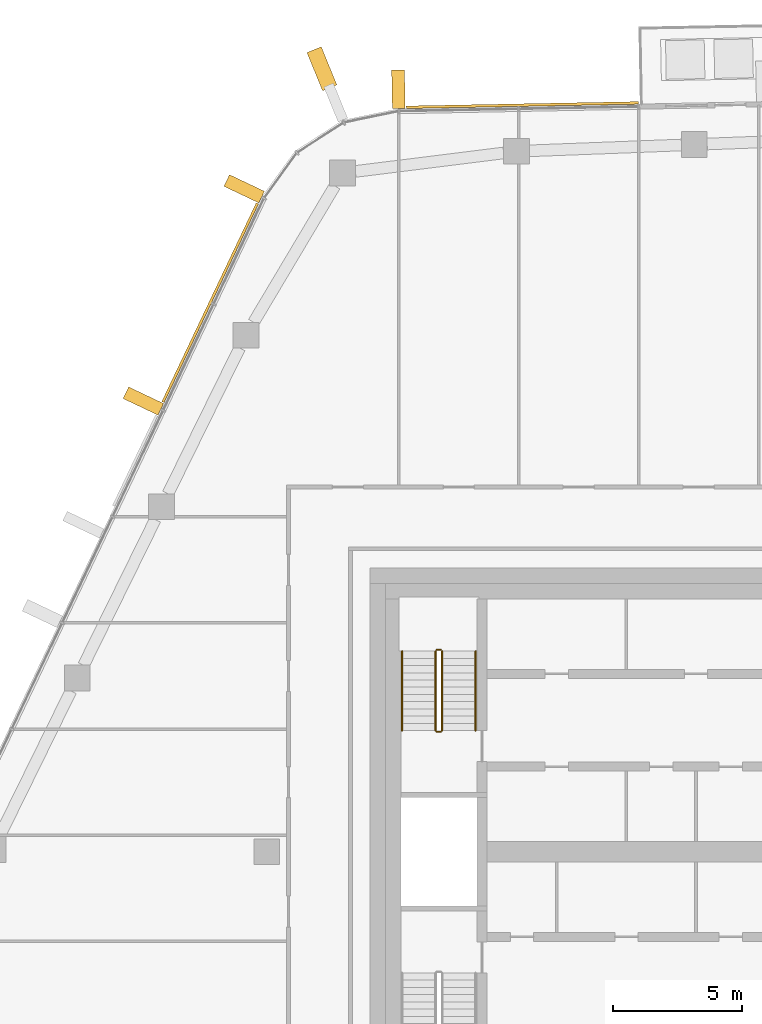
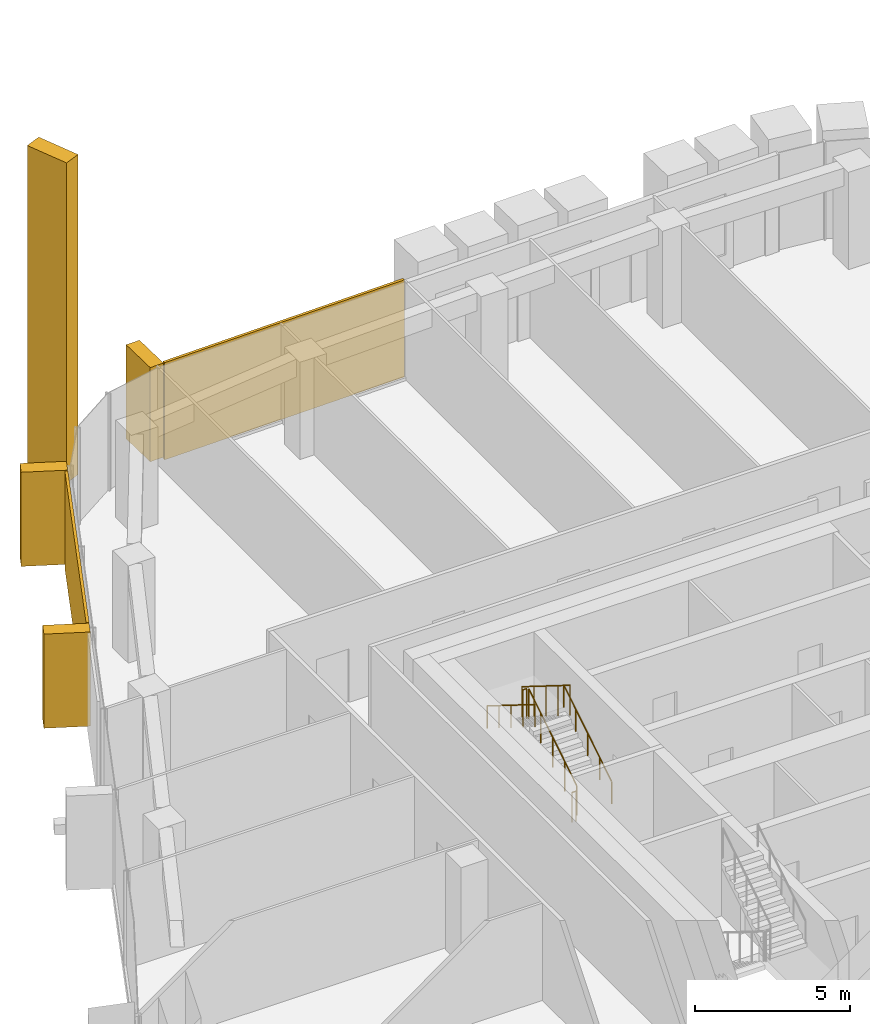
# One storey, part 22 of 24: 6 coverings, 6 railings, 3 elements without a shape of their own.
"""IFC4 building model written with IfcOpenShell, lengths in metres."""

from ifc_helpers import new_model, si_unit, direction, frame, origin, origin_2d, place, context, subcontext, project, spatial, rectangle, circle, extrude, material, layer, layer_set, material_profile, profile_set, type_object, element, aggregate, save


model = new_model("IFC4")

# Units and contexts
model_context = context("Model", 3, precision=1e-05, world=origin(), true_north=direction((0.0, 1.0)))
body_context = subcontext(model_context, "Body", "Model", "MODEL_VIEW")
ifc_project = project(units=[si_unit("LENGTHUNIT", "METRE"), si_unit("AREAUNIT", "SQUARE_METRE"), si_unit("VOLUMEUNIT", "CUBIC_METRE"), si_unit("PLANEANGLEUNIT", "RADIAN"), si_unit("MASSUNIT", "GRAM", prefix="KILO")], contexts=[model_context])

# Site, building, storey
site_placement = place(None, origin())
site = spatial("IfcSite", under=ifc_project, at=site_placement, CompositionType="ELEMENT")
building_placement = place(site_placement, origin())
building = spatial("IfcBuilding", under=site, at=building_placement, Name="Dongbaek Canopy Tower", CompositionType="ELEMENT")
storey_placement = place(building_placement, frame((0.0, 0.0, 294.199951171875)))
storey = spatial("IfcBuildingStorey", under=building, at=storey_placement, Name="L62", CompositionType="ELEMENT", Elevation=294.199951171875)

# Curtain wall, covering
ifc_material_1 = material(Name="Aluminium 6063-T6 pale anodised", Category="aluminium")
ifc_layer_1 = layer(ifc_material_1, 0.199951171875)
ifc_layer_set_1 = layer_set([ifc_layer_1], Name="CW-1 unitised tower curtain wall")
curtain_wall_type = type_object("IfcCurtainWallType", Name="CW-1 unitised tower curtain wall", PredefinedType="NOTDEFINED", material=ifc_layer_set_1)
curtain_wall_1_placement = place(storey_placement, origin())
curtain_wall_1 = element("IfcCurtainWall", 1, at=curtain_wall_1_placement, inside=storey, type_object=curtain_wall_type, Name="CW-1 curtain wall K2.1", PredefinedType="NOTDEFINED")
ifc_material_2 = material(Name="Aluminium 6063-T6 pale metal fin", Category="aluminium")
ifc_material_profile_1 = material_profile(ifc_material_2, rectangle(XDim=1.60009765625, YDim=0.60009765625, at=origin_2d()), Name="Corner fin CN1 600 x 1600 pale metal")
ifc_profile_set_1 = profile_set([ifc_material_profile_1], Name="Aluminium 6063-T6 pale metal fin")
covering_type_1 = type_object("IfcCoveringType", Name="Corner fin CN1 600 x 1600 pale metal", PredefinedType="CLADDING", material=ifc_profile_set_1)
covering_1_placement = place(storey_placement, frame((-15.859375, 30.364990234375, -0.18994140625), z_axis=(0.0, 0.0, 1.0), x_axis=(-0.378666386385, 0.925533234315, 0.0)))
covering_1 = element("IfcCovering", 2, at=covering_1_placement, type_object=covering_type_1, Name="Corner fin L62 L64 K2", PredefinedType="CLADDING", context=body_context, shape_type="SweptSolid", body=[
    extrude(rectangle(XDim=1.60009765625, YDim=0.60009765625, at=origin_2d()), origin(), (0.0, 0.0, 1.0), 12.580078125),
])
aggregate(curtain_wall_1, [covering_1])

curtain_wall_2_placement = place(storey_placement, origin())
curtain_wall_2 = element("IfcCurtainWall", 3, at=curtain_wall_2_placement, inside=storey, type_object=curtain_wall_type, Name="CW-1 curtain wall F1.1", PredefinedType="NOTDEFINED")
ifc_material_3 = material(Name="Perforated aluminium 6063-T6 pale metal screen", Category="aluminium")
ifc_layer_2 = layer(ifc_material_3, 0.10009765625)
ifc_layer_set_2 = layer_set([ifc_layer_2], Name="Facet screen FS1 100 pale metal")
covering_type_2 = type_object("IfcCoveringType", Name="Facet screen FS1 100 pale metal", PredefinedType="CLADDING", material=ifc_layer_set_2)
covering_2_placement = place(storey_placement, frame((-8.0830078125, 28.95751953125, 0.0), z_axis=(0.0, 0.0, 1.0), x_axis=(-0.999821298126, -0.0189042803, 0.0)))
covering_2 = element("IfcCovering", 4, at=covering_2_placement, type_object=covering_type_2, Name="Facet screen L62 F1", PredefinedType="CLADDING", context=body_context, shape_type="SweptSolid", body=[
    extrude(rectangle(XDim=9.01220703125, YDim=0.10009765625, at=origin_2d()), origin(), (0.0, 0.0, 1.0), 3.820068359375),
])

curtain_wall_3_placement = place(storey_placement, origin())
curtain_wall_3 = element("IfcCurtainWall", 5, at=curtain_wall_3_placement, inside=storey, type_object=curtain_wall_type, Name="CW-1 curtain wall F2.1", PredefinedType="NOTDEFINED")
covering_3_placement = place(storey_placement, frame((-20.193603515625, 21.29248046875, 0.0), z_axis=(0.0, 0.0, 1.0), x_axis=(-0.42914323553, -0.903236449331, 0.0)))
covering_3 = element("IfcCovering", 6, at=covering_3_placement, type_object=covering_type_2, Name="Facet screen L62 F2", PredefinedType="CLADDING", context=body_context, shape_type="SweptSolid", body=[
    extrude(rectangle(XDim=8.53271484375, YDim=0.10009765625, at=origin_2d()), origin(), (0.0, 0.0, 1.0), 3.820068359375),
])

# Covering
ifc_material_4 = material(Name="Aluminium 6063-T6 pale metal fin", Category="aluminium")
ifc_material_profile_2 = material_profile(ifc_material_4, rectangle(XDim=1.5, YDim=0.5, at=origin_2d()), Name="Fin FN1 500 x 1500 pale metal")
ifc_profile_set_2 = profile_set([ifc_material_profile_2], Name="Aluminium 6063-T6 pale metal fin")
covering_type_3 = type_object("IfcCoveringType", Name="Fin FN1 500 x 1500 pale metal", PredefinedType="CLADDING", material=ifc_profile_set_2)
covering_4_placement = place(storey_placement, frame((-12.8916015625, 29.57080078125, 0.1201171875), z_axis=(0.0, 0.0, 1.0), x_axis=(-0.018905076744, 0.999821283067, 0.0)))
covering_4 = element("IfcCovering", 7, at=covering_4_placement, type_object=covering_type_3, Name="Fin F1.1.3", PredefinedType="CLADDING", context=body_context, shape_type="SweptSolid", body=[
    extrude(rectangle(XDim=1.5, YDim=0.5, at=origin_2d()), origin(), (0.0, 0.0, 1.0), 3.699951171875),
])

aggregate(curtain_wall_2, [covering_4, covering_2])

covering_5_placement = place(storey_placement, frame((-18.8740234375, 25.710205078125, 0.1201171875), z_axis=(0.0, 0.0, 1.0), x_axis=(-0.903236413866, 0.429143310174, 0.0)))
covering_5 = element("IfcCovering", 8, at=covering_5_placement, type_object=covering_type_3, Name="Fin F2.1.1", PredefinedType="CLADDING", context=body_context, shape_type="SweptSolid", body=[
    extrude(rectangle(XDim=1.5, YDim=0.5, at=origin_2d()), origin(), (0.0, 0.0, 1.0), 3.699951171875),
])

covering_6_placement = place(storey_placement, frame((-22.78466796875, 17.47900390625, 0.1201171875), z_axis=(0.0, 0.0, 1.0), x_axis=(-0.903236413866, 0.429143310174, 0.0)))
covering_6 = element("IfcCovering", 9, at=covering_6_placement, type_object=covering_type_3, Name="Fin F2.1.3", PredefinedType="CLADDING", context=body_context, shape_type="SweptSolid", body=[
    extrude(rectangle(XDim=1.5, YDim=0.5, at=origin_2d()), origin(), (0.0, 0.0, 1.0), 3.699951171875),
])

aggregate(curtain_wall_3, [covering_5, covering_6, covering_3])

# Railings
ifc_material_5 = material(Name="Stainless steel tube and balusters", Category="steel")
railing_type_1 = type_object("IfcRailingType", Name="Stair guard 1200", PredefinedType="GUARDRAIL", material=ifc_material_5)
railing_1_placement = place(storey_placement, frame((-11.199951171875, 4.699951171875, 0.175048828125)))
element("IfcRailing", 10, at=railing_1_placement, inside=storey, type_object=railing_type_1, Name="L62 ST-C stair guard 1", PredefinedType="GUARDRAIL", context=body_context, shape_type="SweptSolid", body=[
    extrude(circle(Radius=0.02392578125, at=origin_2d()), frame((0.0, 0.0, 1.17578125), z_axis=(0.0, 0.847998304005, 0.529998940003), x_axis=(-1.0, 0.0, 0.0)), (0.0, 0.0, 1.0), 3.632080078125),
    extrude(circle(Radius=0.02099609375, at=origin_2d()), origin(), (0.0, 0.0, 1.0), 1.15185546875),
    extrude(circle(Radius=0.02099609375, at=origin_2d()), frame((0.0, 0.77001953125, 0.481201171875)), (0.0, 0.0, 1.0), 1.15185546875),
    extrude(circle(Radius=0.02099609375, at=origin_2d()), frame((0.0, 1.5400390625, 0.96240234375)), (0.0, 0.0, 1.0), 1.15185546875),
    extrude(circle(Radius=0.02099609375, at=origin_2d()), frame((0.0, 2.31005859375, 1.44384765625)), (0.0, 0.0, 1.0), 1.15185546875),
    extrude(circle(Radius=0.02099609375, at=origin_2d()), frame((0.0, 3.080078125, 1.925048828125)), (0.0, 0.0, 1.0), 1.15185546875),
])
railing_2_placement = place(storey_placement, frame((-11.25, 7.830078125, 2.10009765625)))
element("IfcRailing", 11, at=railing_2_placement, inside=storey, type_object=railing_type_1, Name="L62 ST-C stair guard 2", PredefinedType="GUARDRAIL", context=body_context, shape_type="SweptSolid", body=[
    extrude(circle(Radius=0.02392578125, at=origin_2d()), frame((0.0, 0.0, 1.17578125), z_axis=(-1.0, 0.0, 0.0), x_axis=(0.0, -1.0, 0.0)), (0.0, 0.0, 1.0), 0.14990234375),
    extrude(circle(Radius=0.02099609375, at=origin_2d()), origin(), (0.0, 0.0, 1.0), 1.15185546875),
    extrude(circle(Radius=0.02099609375, at=origin_2d()), frame((-0.14990234375, 0.0, 0.0)), (0.0, 0.0, 1.0), 1.15185546875),
])
railing_3_placement = place(storey_placement, frame((-11.449951171875, 7.780029296875, 2.275146484375)))
element("IfcRailing", 12, at=railing_3_placement, inside=storey, type_object=railing_type_1, Name="L62 ST-C stair guard 3", PredefinedType="GUARDRAIL", context=body_context, shape_type="SweptSolid", body=[
    extrude(circle(Radius=0.02392578125, at=origin_2d()), frame((0.0, 0.0, 1.17578125), z_axis=(0.0, -0.848028513186, 0.529950602248), x_axis=(1.0, 0.0, 0.0)), (0.0, 0.0, 1.0), 3.632080078125),
    extrude(circle(Radius=0.02099609375, at=origin_2d()), origin(), (0.0, 0.0, 1.0), 1.15185546875),
    extrude(circle(Radius=0.02099609375, at=origin_2d()), frame((0.0, -0.77001953125, 0.481201171875)), (0.0, 0.0, 1.0), 1.15185546875),
    extrude(circle(Radius=0.02099609375, at=origin_2d()), frame((0.0, -1.5400390625, 0.96240234375)), (0.0, 0.0, 1.0), 1.15185546875),
    extrude(circle(Radius=0.02099609375, at=origin_2d()), frame((0.0, -2.31005859375, 1.443603515625)), (0.0, 0.0, 1.0), 1.15185546875),
    extrude(circle(Radius=0.02099609375, at=origin_2d()), frame((0.0, -3.080078125, 1.9248046875)), (0.0, 0.0, 1.0), 1.15185546875),
])
railing_4_placement = place(storey_placement, frame((-11.25, 4.64990234375, 0.0)))
element("IfcRailing", 13, at=railing_4_placement, inside=storey, type_object=railing_type_1, Name="L62 ST-C stair guard 4", PredefinedType="GUARDRAIL", context=body_context, shape_type="SweptSolid", body=[
    extrude(circle(Radius=0.02392578125, at=origin_2d()), frame((0.0, 0.0, 1.17578125), z_axis=(-1.0, 0.0, 0.0), x_axis=(0.0, -1.0, 0.0)), (0.0, 0.0, 1.0), 0.14990234375),
    extrude(circle(Radius=0.02099609375, at=origin_2d()), origin(), (0.0, 0.0, 1.0), 1.15185546875),
    extrude(circle(Radius=0.02099609375, at=origin_2d()), frame((-0.14990234375, 0.0, 0.0)), (0.0, 0.0, 1.0), 1.15185546875),
])
ifc_material_6 = material(Name="Stainless steel tube", Category="steel")
railing_type_2 = type_object("IfcRailingType", Name="Stair handrail 900", PredefinedType="HANDRAIL", material=ifc_material_6)
railing_5_placement = place(storey_placement, frame((-9.89990234375, 4.699951171875, 0.175048828125)))
element("IfcRailing", 14, at=railing_5_placement, inside=storey, type_object=railing_type_2, Name="L62 ST-C stair handrail 1", PredefinedType="HANDRAIL", context=body_context, shape_type="SweptSolid", body=[
    extrude(circle(Radius=0.02392578125, at=origin_2d()), frame((0.0, 0.0, 0.8759765625), z_axis=(0.0, 0.847998304005, 0.529998940003), x_axis=(-1.0, 0.0, 0.0)), (0.0, 0.0, 1.0), 3.632080078125),
    extrude(circle(Radius=0.02099609375, at=origin_2d()), origin(), (0.0, 0.0, 1.0), 0.851806640625),
    extrude(circle(Radius=0.02099609375, at=origin_2d()), frame((0.0, 0.77001953125, 0.481201171875)), (0.0, 0.0, 1.0), 0.851806640625),
    extrude(circle(Radius=0.02099609375, at=origin_2d()), frame((0.0, 1.5400390625, 0.96240234375)), (0.0, 0.0, 1.0), 0.851806640625),
    extrude(circle(Radius=0.02099609375, at=origin_2d()), frame((0.0, 2.31005859375, 1.44384765625)), (0.0, 0.0, 1.0), 0.851806640625),
    extrude(circle(Radius=0.02099609375, at=origin_2d()), frame((0.0, 3.080078125, 1.925048828125)), (0.0, 0.0, 1.0), 0.851806640625),
])
railing_6_placement = place(storey_placement, frame((-12.75, 7.780029296875, 2.275146484375)))
element("IfcRailing", 15, at=railing_6_placement, inside=storey, type_object=railing_type_2, Name="L62 ST-C stair handrail 2", PredefinedType="HANDRAIL", context=body_context, shape_type="SweptSolid", body=[
    extrude(circle(Radius=0.02392578125, at=origin_2d()), frame((0.0, 0.0, 0.8759765625), z_axis=(0.0, -0.848028513186, 0.529950602248), x_axis=(1.0, 0.0, 0.0)), (0.0, 0.0, 1.0), 3.632080078125),
    extrude(circle(Radius=0.02099609375, at=origin_2d()), origin(), (0.0, 0.0, 1.0), 0.851806640625),
    extrude(circle(Radius=0.02099609375, at=origin_2d()), frame((0.0, -0.77001953125, 0.481201171875)), (0.0, 0.0, 1.0), 0.851806640625),
    extrude(circle(Radius=0.02099609375, at=origin_2d()), frame((0.0, -1.5400390625, 0.96240234375)), (0.0, 0.0, 1.0), 0.851806640625),
    extrude(circle(Radius=0.02099609375, at=origin_2d()), frame((0.0, -2.31005859375, 1.443603515625)), (0.0, 0.0, 1.0), 0.851806640625),
    extrude(circle(Radius=0.02099609375, at=origin_2d()), frame((0.0, -3.080078125, 1.9248046875)), (0.0, 0.0, 1.0), 0.851806640625),
])

save(model, "model.ifc")
